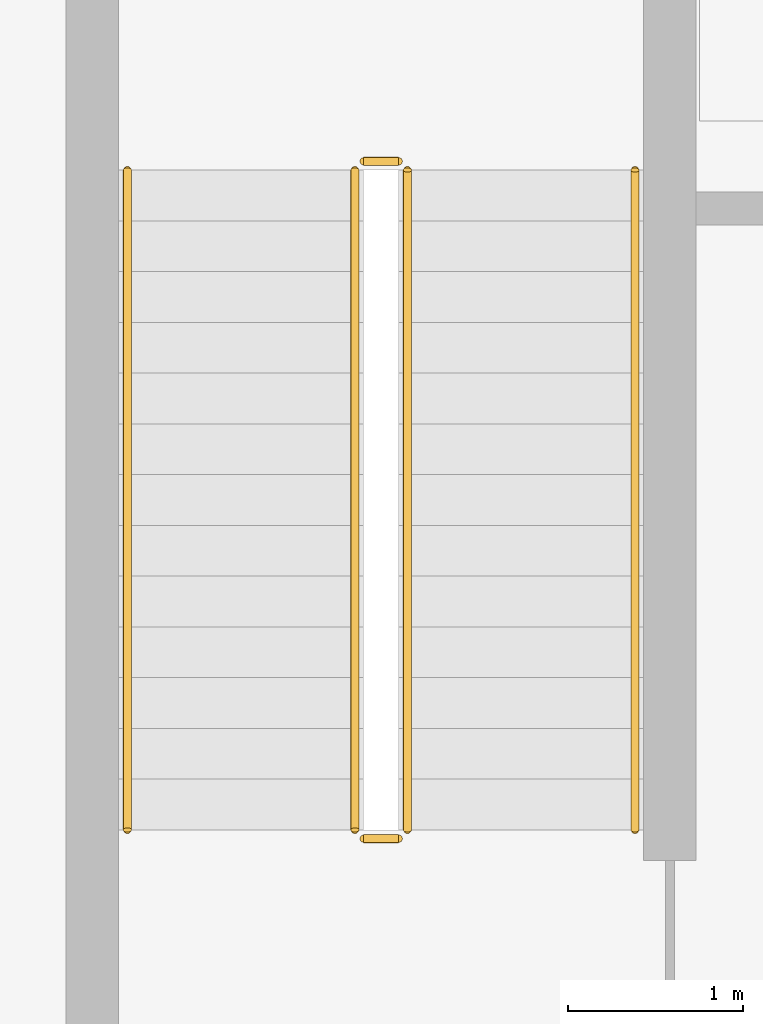
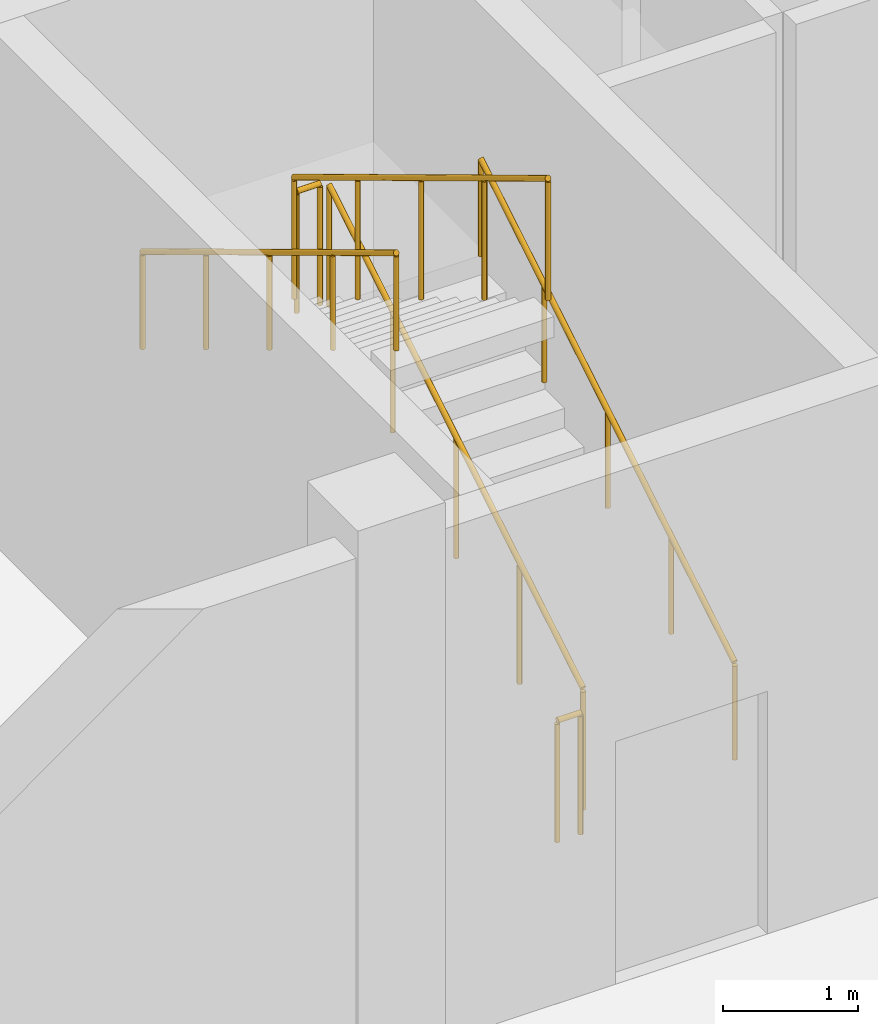
# One storey, part 68 of 85: 6 railings.
"""IFC4 building model written with IfcOpenShell, lengths in metres."""

import ifcopenshell
import ifcopenshell.guid

model = None  # the IFC model being written
_history = None  # IfcOwnerHistory: only IFC2X3 demands one
_inside = {}  # id of a spatial element -> (the spatial element, [elements in it])
_under = {}  # id of a project, library or spatial element -> (it, [spatial elements below it])
_declared = {}  # id of a project -> (the project, [libraries it declares])
_typed = {}  # id of a type object -> (the type object, [elements of that type])
_made_of = {}  # id of a material, layer set ... -> (it, [elements and type objects made of it])


def new_model(schema):
    """Start an empty IFC model of exactly this schema.

    Asked for "IFC4X3", IfcOpenShell would pick the latest addendum, in which some entities
    have other attributes; the version numbers below select the first issue.
    IFC2X3 requires an IfcOwnerHistory on every rooted entity: one is made here for all.
    """
    global model, _history
    if schema == "IFC4X3":
        model = ifcopenshell.file(schema_version=(4, 3, 0, 0))
    else:
        model = ifcopenshell.file(schema=schema)
    _inside.clear()
    _under.clear()
    _declared.clear()
    _typed.clear()
    _made_of.clear()
    _history = None
    if model.schema == "IFC2X3":
        org = make("IfcOrganization", Name="unknown")
        user = make(
            "IfcPersonAndOrganization",
            ThePerson=make("IfcPerson", FamilyName="unknown"),
            TheOrganization=org,
        )
        app = make(
            "IfcApplication",
            ApplicationDeveloper=org,
            Version="unknown",
            ApplicationFullName="unknown",
            ApplicationIdentifier="unknown",
        )
        _history = make(
            "IfcOwnerHistory",
            OwningUser=user,
            OwningApplication=app,
            ChangeAction="ADDED",
            CreationDate=0,
        )
    return model


def make(cls, **values):
    """One entity of the class cls with the attributes given. An attribute that is None is left unset."""
    return model.create_entity(
        cls, **{name: value for name, value in values.items() if value is not None}
    )


def rooted(cls, **values):
    """An entity with a GlobalId (a new one), such as an element, a storey or a relation."""
    return make(cls, GlobalId=ifcopenshell.guid.new(), OwnerHistory=_history, **values)


def si_unit(unit_type, name, prefix=None):
    """IfcSIUnit, for example si_unit("LENGTHUNIT", "METRE", prefix="MILLI")."""
    return make("IfcSIUnit", UnitType=unit_type, Prefix=prefix, Name=name)


def derived_unit(unit_type, elements):
    """IfcDerivedUnit: a product of units, each with its exponent."""
    return make(
        "IfcDerivedUnit",
        Elements=[
            make("IfcDerivedUnitElement", Unit=unit, Exponent=power)
            for unit, power in elements
        ],
        UnitType=unit_type,
    )


def assignment(units):
    """IfcUnitAssignment: the units of a project."""
    return None if units is None else make("IfcUnitAssignment", Units=units)


def point(xyz):
    """IfcCartesianPoint."""
    return None if xyz is None else make("IfcCartesianPoint", Coordinates=xyz)


def direction(xyz):
    """IfcDirection."""
    return None if xyz is None else make("IfcDirection", DirectionRatios=xyz)


def frame(location, z_axis=None, x_axis=None):
    """IfcAxis2Placement3D, a coordinate frame: its origin and axes. An axis left out is left unset."""
    return make(
        "IfcAxis2Placement3D",
        Location=point(location),
        Axis=direction(z_axis),
        RefDirection=direction(x_axis),
    )


def frame_2d(location, x_axis=None):
    """IfcAxis2Placement2D, a coordinate frame in the plane: its origin and x axis."""
    return make(
        "IfcAxis2Placement2D", Location=point(location), RefDirection=direction(x_axis)
    )


def origin():
    """The frame at (0, 0, 0) with its axes left unset."""
    return frame((0.0, 0.0, 0.0))


def origin_2d():
    """The frame at (0, 0) in the plane with its x axis left unset."""
    return frame_2d((0.0, 0.0))


def place(relative_to, where):
    """IfcLocalPlacement: puts the frame where relative to a parent placement (None: the world)."""
    return make(
        "IfcLocalPlacement", PlacementRelTo=relative_to, RelativePlacement=where
    )


def context(
    kind, dimensions, precision=None, world=None, true_north=None, identifier=None
):
    """IfcGeometricRepresentationContext, for example the 3D "Model" context."""
    return make(
        "IfcGeometricRepresentationContext",
        ContextIdentifier=identifier,
        ContextType=kind,
        CoordinateSpaceDimension=dimensions,
        Precision=precision,
        WorldCoordinateSystem=world,
        TrueNorth=true_north,
    )


def subcontext(parent, identifier, kind, view, scale=None):
    """IfcGeometricRepresentationSubContext, for example "Body" below "Model"."""
    return make(
        "IfcGeometricRepresentationSubContext",
        ContextIdentifier=identifier,
        ContextType=kind,
        ParentContext=parent,
        TargetScale=scale,
        TargetView=view,
    )


def project(units=None, contexts=None):
    """IfcProject with its units and contexts."""
    return rooted(
        "IfcProject",
        Name="project",
        RepresentationContexts=contexts,
        UnitsInContext=assignment(units),
    )


def spatial(cls, under=None, at=None, **own):
    """A site, building, storey or space (cls), placed at a placement, below another one or the project."""
    s = rooted(cls, ObjectPlacement=at, **own)
    if under is not None:
        _under.setdefault(under.id(), (under, []))[1].append(s)
    return s


def profile(cls, at=None, kind="AREA", **sizes):
    """A parametric profile (cls). Its sizes go by their IFC names, for example OverallWidth=200.0."""
    return make(cls, ProfileType=kind, Position=at, **sizes)


def circle(**sizes):
    """IfcCircleProfileDef."""
    return profile("IfcCircleProfileDef", **sizes)


def extrude(swept, where, along, depth):
    """IfcExtrudedAreaSolid: the profile swept, set in the frame where, extruded along a direction by depth."""
    return make(
        "IfcExtrudedAreaSolid",
        SweptArea=swept,
        Position=where,
        ExtrudedDirection=direction(along),
        Depth=depth,
    )


def shape(context_of_items, identifier, shape_type, items):
    """IfcShapeRepresentation: the items that make up one representation, for example the "Body"."""
    return make(
        "IfcShapeRepresentation",
        ContextOfItems=context_of_items,
        RepresentationIdentifier=identifier,
        RepresentationType=shape_type,
        Items=items,
    )


def material(Name=None, Category=None):
    """IfcMaterial."""
    return make("IfcMaterial", Name=Name, Category=Category)


def made_of(thing, what):
    """Note that an element or type object is made of a material, layer set ...; save() writes the relation."""
    if what is not None:
        _made_of.setdefault(what.id(), (what, []))[1].append(thing)
    return thing


def type_object(cls, material=None, **own):
    """A type object (cls), such as IfcWallType, which elements share."""
    return made_of(rooted(cls, **own), material)


def element(
    cls,
    number,
    at=None,
    inside=None,
    cuts=None,
    type_object=None,
    material=None,
    context=None,
    identifier="Body",
    shape_type=None,
    held_by="IfcProductDefinitionShape",
    body=None,
    shapes=None,
    **own,
):
    """One element of the class cls, such as IfcWall. Its Tag is "e" and its number.

    at: its placement. inside: the storey or other place that contains it. cuts: it is an
    opening in that element (IfcRelVoidsElement). A single representation is given by context,
    identifier, shape_type and body (its items); several are given by shapes. held_by: the class
    of the entity that holds the representations. save() writes the other relations.
    """
    e = rooted(cls, Tag="e%d" % number, ObjectPlacement=at, **own)
    if body is not None:
        shapes = [shape(context, identifier, shape_type, body)]
    if shapes is not None:
        e.Representation = make(held_by, Representations=shapes)
    if inside is not None:
        _inside.setdefault(inside.id(), (inside, []))[1].append(e)
    if cuts is not None:
        rooted(
            "IfcRelVoidsElement", RelatingBuildingElement=cuts, RelatedOpeningElement=e
        )
    if type_object is not None:
        _typed.setdefault(type_object.id(), (type_object, []))[1].append(e)
    return made_of(e, material)


def aggregate(whole, parts):
    """IfcRelAggregates: a whole, such as a stair, and the parts it consists of."""
    return rooted("IfcRelAggregates", RelatingObject=whole, RelatedObjects=parts)


def save(model, path):
    """Write the relations noted so far, then the file.

    IfcRelAggregates (storeys below a building ...), IfcRelContainedInSpatialStructure (elements
    in a storey), IfcRelDefinesByType, IfcRelAssociatesMaterial and IfcRelDeclares: one each for
    every whole, place, type object, material and project.
    """
    for whole, parts in _under.values():
        aggregate(whole, parts)
    for where, things in _inside.values():
        rooted(
            "IfcRelContainedInSpatialStructure",
            RelatedElements=things,
            RelatingStructure=where,
        )
    for kind, things in _typed.values():
        rooted("IfcRelDefinesByType", RelatedObjects=things, RelatingType=kind)
    for what, things in _made_of.values():
        rooted("IfcRelAssociatesMaterial", RelatedObjects=things, RelatingMaterial=what)
    for by, libraries in _declared.values():
        rooted("IfcRelDeclares", RelatingContext=by, RelatedDefinitions=libraries)
    model.write(path)


model = new_model("IFC4")

# Units and contexts
model_context = context("Model", 3, precision=1e-05, world=origin(), true_north=direction((0.0, 1.0)))
body_context = subcontext(model_context, "Body", "Model", "MODEL_VIEW")
ifc_project = project(units=[si_unit("LENGTHUNIT", "METRE"), si_unit("AREAUNIT", "SQUARE_METRE"), si_unit("VOLUMEUNIT", "CUBIC_METRE"), si_unit("PLANEANGLEUNIT", "RADIAN"), si_unit("MASSUNIT", "GRAM", prefix="KILO"), derived_unit("THERMALTRANSMITTANCEUNIT", [(si_unit("MASSUNIT", "GRAM", prefix="KILO"), 1), (si_unit("TIMEUNIT", "SECOND"), -3), (si_unit("THERMODYNAMICTEMPERATUREUNIT", "KELVIN"), -1)])], contexts=[model_context])

# Site, building, storey
site_placement = place(None, origin())
site = spatial("IfcSite", under=ifc_project, at=site_placement, CompositionType="ELEMENT")
building_placement = place(site_placement, origin())
building = spatial("IfcBuilding", under=site, at=building_placement, Name="Ochrekiln Boulevard Commons", CompositionType="ELEMENT")
storey_placement = place(building_placement, origin())
storey = spatial("IfcBuildingStorey", under=building, at=storey_placement, Name="L00", CompositionType="ELEMENT", Elevation=0.0)

# Railings
ifc_material = material(Name="Brushed stainless steel 316 tubular railing", Category="steel")
railing_type_1 = type_object("IfcRailingType", Name="RLG-HDR-900", PredefinedType="HANDRAIL", material=ifc_material)
railing_1_placement = place(storey_placement, frame((9.35009765625, 70.27001953125, 0.175048828125)))
element("IfcRailing", 1, at=railing_1_placement, inside=storey, type_object=railing_type_1, Name="L00 ST-A1 stair handrail 1", PredefinedType="HANDRAIL", context=body_context, shape_type="SweptSolid", body=[
    extrude(circle(Radius=0.02392578125, at=origin_2d()), frame((0.0, 0.0, 0.8759765625), z_axis=(0.0, 0.856198655849, 0.51664674752), x_axis=(-1.0, 0.0, 0.0)), (0.0, 0.0, 1.0), 4.4033203125),
    extrude(circle(Radius=0.02099609375, at=origin_2d()), origin(), (0.0, 0.0, 1.0), 0.851806640625),
    extrude(circle(Radius=0.02099609375, at=origin_2d()), frame((0.0, 0.9423828125, 0.56884765625)), (0.0, 0.0, 1.0), 0.851806640625),
    extrude(circle(Radius=0.02099609375, at=origin_2d()), frame((0.0, 1.885009765625, 1.137451171875)), (0.0, 0.0, 1.0), 0.851806640625),
    extrude(circle(Radius=0.02099609375, at=origin_2d()), frame((0.0, 2.82763671875, 1.7060546875)), (0.0, 0.0, 1.0), 0.851806640625),
    extrude(circle(Radius=0.02099609375, at=origin_2d()), frame((0.0, 3.77001953125, 2.27490234375)), (0.0, 0.0, 1.0), 0.851806640625),
])
railing_2_placement = place(storey_placement, frame((6.449951171875, 74.0400390625, 2.625)))
element("IfcRailing", 2, at=railing_2_placement, inside=storey, type_object=railing_type_1, Name="L00 ST-A1 stair handrail 2", PredefinedType="HANDRAIL", context=body_context, shape_type="SweptSolid", body=[
    extrude(circle(Radius=0.02392578125, at=origin_2d()), frame((0.0, 0.0, 0.8759765625), z_axis=(0.0, -0.856198655849, 0.51664674752), x_axis=(1.0, 0.0, 0.0)), (0.0, 0.0, 1.0), 4.4033203125),
    extrude(circle(Radius=0.02099609375, at=origin_2d()), origin(), (0.0, 0.0, 1.0), 0.851806640625),
    extrude(circle(Radius=0.02099609375, at=origin_2d()), frame((0.0, -0.9423828125, 0.56884765625)), (0.0, 0.0, 1.0), 0.851806640625),
    extrude(circle(Radius=0.02099609375, at=origin_2d()), frame((0.0, -1.885009765625, 1.137451171875)), (0.0, 0.0, 1.0), 0.851806640625),
    extrude(circle(Radius=0.02099609375, at=origin_2d()), frame((0.0, -2.82763671875, 1.7060546875)), (0.0, 0.0, 1.0), 0.851806640625),
    extrude(circle(Radius=0.02099609375, at=origin_2d()), frame((0.0, -3.77001953125, 2.27490234375)), (0.0, 0.0, 1.0), 0.851806640625),
])
railing_type_2 = type_object("IfcRailingType", Name="RLG-STR-1120", PredefinedType="BALUSTRADE", material=ifc_material)
railing_3_placement = place(storey_placement, frame((8.050048828125, 70.27001953125, 0.175048828125)))
element("IfcRailing", 3, at=railing_3_placement, inside=storey, type_object=railing_type_2, Name="L00 ST-A1 stair guard 1", PredefinedType="BALUSTRADE", context=body_context, shape_type="SweptSolid", body=[
    extrude(circle(Radius=0.02392578125, at=origin_2d()), frame((0.0, 0.0, 1.09619140625), z_axis=(0.0, 0.856198655849, 0.51664674752), x_axis=(-1.0, 0.0, 0.0)), (0.0, 0.0, 1.0), 4.4033203125),
    extrude(circle(Radius=0.02099609375, at=origin_2d()), origin(), (0.0, 0.0, 1.0), 1.072021484375),
    extrude(circle(Radius=0.02099609375, at=origin_2d()), frame((0.0, 0.9423828125, 0.56884765625)), (0.0, 0.0, 1.0), 1.072021484375),
    extrude(circle(Radius=0.02099609375, at=origin_2d()), frame((0.0, 1.885009765625, 1.137451171875)), (0.0, 0.0, 1.0), 1.072021484375),
    extrude(circle(Radius=0.02099609375, at=origin_2d()), frame((0.0, 2.82763671875, 1.7060546875)), (0.0, 0.0, 1.0), 1.072021484375),
    extrude(circle(Radius=0.02099609375, at=origin_2d()), frame((0.0, 3.77001953125, 2.27490234375)), (0.0, 0.0, 1.0), 1.072021484375),
])
railing_4_placement = place(storey_placement, frame((8.0, 74.090087890625, 2.449951171875)))
element("IfcRailing", 4, at=railing_4_placement, inside=storey, type_object=railing_type_2, Name="L00 ST-A1 stair guard 2", PredefinedType="BALUSTRADE", context=body_context, shape_type="SweptSolid", body=[
    extrude(circle(Radius=0.02392578125, at=origin_2d()), frame((0.0, 0.0, 1.09619140625), z_axis=(-1.0, 0.0, 0.0), x_axis=(0.0, -1.0, 0.0)), (0.0, 0.0, 1.0), 0.199951171875),
    extrude(circle(Radius=0.02099609375, at=origin_2d()), origin(), (0.0, 0.0, 1.0), 1.072021484375),
    extrude(circle(Radius=0.02099609375, at=origin_2d()), frame((-0.199951171875, 0.0, 0.0)), (0.0, 0.0, 1.0), 1.072021484375),
])
railing_5_placement = place(storey_placement, frame((7.75, 74.0400390625, 2.625)))
element("IfcRailing", 5, at=railing_5_placement, inside=storey, type_object=railing_type_2, Name="L00 ST-A1 stair guard 3", PredefinedType="BALUSTRADE", context=body_context, shape_type="SweptSolid", body=[
    extrude(circle(Radius=0.02392578125, at=origin_2d()), frame((0.0, 0.0, 1.09619140625), z_axis=(0.0, -0.856198655849, 0.51664674752), x_axis=(1.0, 0.0, 0.0)), (0.0, 0.0, 1.0), 4.4033203125),
    extrude(circle(Radius=0.02099609375, at=origin_2d()), origin(), (0.0, 0.0, 1.0), 1.072021484375),
    extrude(circle(Radius=0.02099609375, at=origin_2d()), frame((0.0, -0.9423828125, 0.56884765625)), (0.0, 0.0, 1.0), 1.072021484375),
    extrude(circle(Radius=0.02099609375, at=origin_2d()), frame((0.0, -1.885009765625, 1.137451171875)), (0.0, 0.0, 1.0), 1.072021484375),
    extrude(circle(Radius=0.02099609375, at=origin_2d()), frame((0.0, -2.82763671875, 1.7060546875)), (0.0, 0.0, 1.0), 1.072021484375),
    extrude(circle(Radius=0.02099609375, at=origin_2d()), frame((0.0, -3.77001953125, 2.27490234375)), (0.0, 0.0, 1.0), 1.072021484375),
])
railing_6_placement = place(storey_placement, frame((8.0, 70.219970703125, 0.0)))
element("IfcRailing", 6, at=railing_6_placement, inside=storey, type_object=railing_type_2, Name="L00 ST-A1 stair guard 4", PredefinedType="BALUSTRADE", context=body_context, shape_type="SweptSolid", body=[
    extrude(circle(Radius=0.02392578125, at=origin_2d()), frame((0.0, 0.0, 1.09619140625), z_axis=(-1.0, 0.0, 0.0), x_axis=(0.0, -1.0, 0.0)), (0.0, 0.0, 1.0), 0.199951171875),
    extrude(circle(Radius=0.02099609375, at=origin_2d()), origin(), (0.0, 0.0, 1.0), 1.072021484375),
    extrude(circle(Radius=0.02099609375, at=origin_2d()), frame((-0.199951171875, 0.0, 0.0)), (0.0, 0.0, 1.0), 1.072021484375),
])

save(model, "model.ifc")
